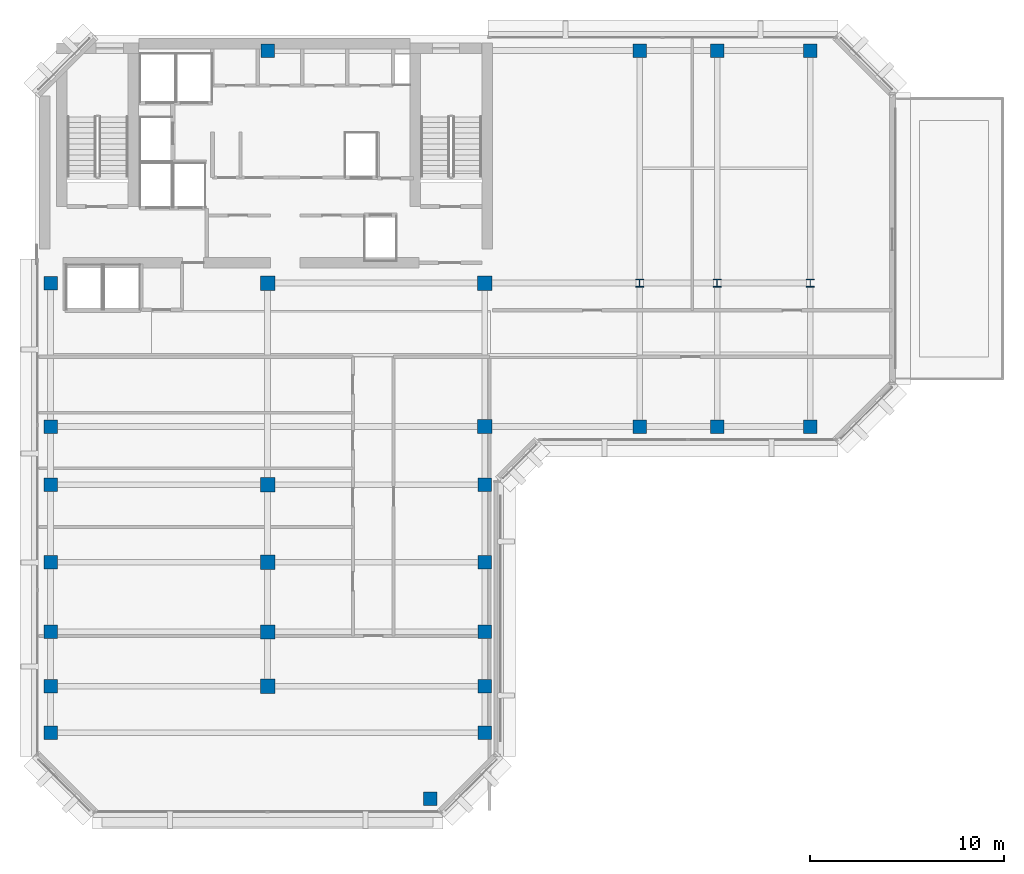
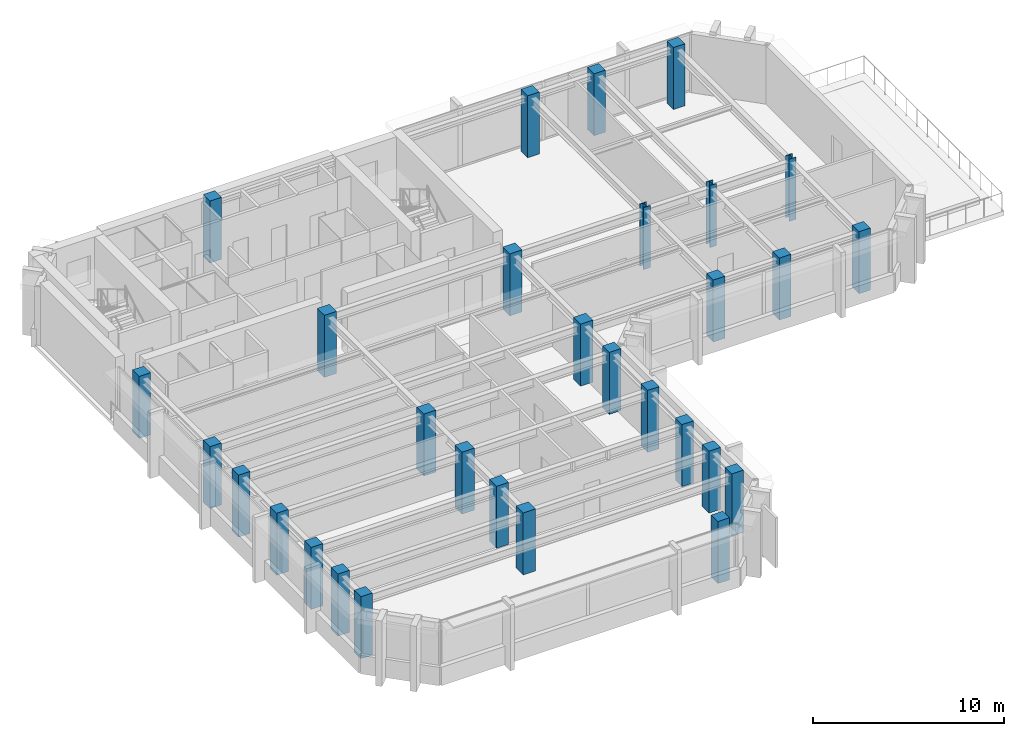
# One storey, part 1 of 11: 30 columns.
"""IFC4 building model written with IfcOpenShell, lengths in metres."""

from ifc_helpers import new_model, si_unit, direction, frame, origin, origin_2d, place, context, subcontext, project, spatial, rectangle, i_section, extrude, material, material_profile, profile_set, type_object, element, save


model = new_model("IFC4")

# Units and contexts
model_context = context("Model", 3, precision=1e-05, world=origin(), true_north=direction((0.0, 1.0)))
body_context = subcontext(model_context, "Body", "Model", "MODEL_VIEW")
ifc_project = project(units=[si_unit("LENGTHUNIT", "METRE"), si_unit("AREAUNIT", "SQUARE_METRE"), si_unit("VOLUMEUNIT", "CUBIC_METRE"), si_unit("PLANEANGLEUNIT", "RADIAN"), si_unit("MASSUNIT", "GRAM", prefix="KILO")], contexts=[model_context])

# Site, building, storey
site_placement = place(None, origin())
site = spatial("IfcSite", under=ifc_project, at=site_placement, CompositionType="ELEMENT")
building_placement = place(site_placement, origin())
building = spatial("IfcBuilding", under=site, at=building_placement, Name="Kefirva Bronze Tower", CompositionType="ELEMENT")
storey_placement = place(building_placement, frame((0.0, 0.0, 272.25)))
storey = spatial("IfcBuildingStorey", under=building, at=storey_placement, Name="L66", CompositionType="ELEMENT", Elevation=272.25)

# Columns
ifc_material_1 = material(Name="Concrete C50/60", Category="concrete")
ifc_material_profile_1 = material_profile(ifc_material_1, rectangle(XDim=0.699951171875, YDim=0.699951171875, at=origin_2d()), Name="RC 700x700")
ifc_profile_set_1 = profile_set([ifc_material_profile_1], Name="Concrete C50/60")
column_type_1 = type_object("IfcColumnType", Name="RC Column 700x700 Ext", PredefinedType="COLUMN", material=ifc_profile_set_1)
for number, where, z_axis, x_axis, name in (
    (1, (0.800048828125, 10.0, 0.0), (0.0, 0.0, 1.0), (1.0, 0.0, 0.0), "L66 Column C008_100"),
    (2, (0.800048828125, 12.39990234375, 0.0), (0.0, 0.0, 1.0), (1.0, 0.0, 0.0), "L66 Column C008_124"),
    (3, (0.800048828125, 15.199951171875, 0.0), (0.0, 0.0, 1.0), (1.0, 0.0, 0.0), "L66 Column C008_152"),
    (4, (0.800048828125, 18.800048828125, 0.0), (0.0, 0.0, 1.0), (1.0, 0.0, 0.0), "L66 Column C008_188"),
    (5, (0.800048828125, 22.800048828125, 0.0), (0.0, 0.0, 1.0), (1.0, 0.0, 0.0), "L66 Column C008_228"),
    (6, (0.800048828125, 25.800048828125, 0.0), (0.0, 0.0, 1.0), (1.0, 0.0, 0.0), "L66 Column C008_258"),
    (7, (0.800048828125, 33.199951171875, 0.0), (0.0, 0.0, 1.0), (1.0, 0.0, 0.0), "L66 Column C008_332"),
    (8, (12.0, 45.199951171875, 0.0), (0.0, 0.0, 1.0), (1.0, 0.0, 0.0), "L66 Column C120_452"),
    (9, (20.39990234375, 6.60009765625, 0.0), (0.0, 0.0, 1.0), (1.0, 0.0, 0.0), "L66 Column C204_066"),
    (10, (23.199951171875, 10.0, 0.0), (0.0, 0.0, 1.0), (1.0, 0.0, 0.0), "L66 Column C232_100"),
    (11, (23.199951171875, 12.39990234375, 0.0), (0.0, 0.0, 1.0), (1.0, 0.0, 0.0), "L66 Column C232_124"),
    (12, (23.199951171875, 15.199951171875, 0.0), (0.0, 0.0, 1.0), (1.0, 0.0, 0.0), "L66 Column C232_152"),
    (13, (23.199951171875, 18.800048828125, 0.0), (0.0, 0.0, 1.0), (1.0, 0.0, 0.0), "L66 Column C232_188"),
    (14, (23.199951171875, 22.800048828125, 0.0), (0.0, 0.0, 1.0), (1.0, 0.0, 0.0), "L66 Column C232_228"),
    (15, (31.199951171875, 25.800048828125, 0.0), (0.0, 0.0, 1.0), (1.0, 0.0, 0.0), "L66 Column C312_258"),
    (16, (31.199951171875, 45.199951171875, 0.0), (0.0, 0.0, 1.0), (1.0, 0.0, 0.0), "L66 Column C312_452"),
    (17, (35.199951171875, 25.800048828125, 0.0), (0.0, 0.0, 1.0), (1.0, 0.0, 0.0), "L66 Column C352_258"),
    (18, (35.199951171875, 45.199951171875, 0.0), (0.0, 0.0, 1.0), (1.0, 0.0, 0.0), "L66 Column C352_452"),
    (19, (40.0, 25.800048828125, 0.0), (0.0, 0.0, 1.0), (1.0, 0.0, 0.0), "L66 Column C400_258"),
    (20, (40.0, 45.199951171875, 0.0), (0.0, 0.0, 1.0), (1.0, 0.0, 0.0), "L66 Column C400_452"),
):
    element("IfcColumn", number, at=place(storey_placement, frame(where, z_axis=z_axis, x_axis=x_axis)), inside=storey, type_object=column_type_1, Name=name, PredefinedType="COLUMN", context=body_context, shape_type="SweptSolid", body=[
        extrude(rectangle(XDim=0.699951171875, YDim=0.699951171875, at=origin_2d()), origin(), (0.0, 0.0, 1.0), 3.9599609375),
    ])
ifc_material_profile_2 = material_profile(ifc_material_1, rectangle(XDim=0.739990234375, YDim=0.739990234375, at=origin_2d()), Name="RC 740x740")
ifc_profile_set_2 = profile_set([ifc_material_profile_2], Name="Concrete C50/60")
column_type_2 = type_object("IfcColumnType", Name="RC Column 740x740 Int", PredefinedType="COLUMN", material=ifc_profile_set_2)
for number, where, z_axis, x_axis, name in (
    (21, (12.0, 12.39990234375, 0.0), (0.0, 0.0, 1.0), (1.0, 0.0, 0.0), "L66 Column C120_124"),
    (22, (12.0, 15.199951171875, 0.0), (0.0, 0.0, 1.0), (1.0, 0.0, 0.0), "L66 Column C120_152"),
    (23, (12.0, 18.800048828125, 0.0), (0.0, 0.0, 1.0), (1.0, 0.0, 0.0), "L66 Column C120_188"),
    (24, (12.0, 22.800048828125, 0.0), (0.0, 0.0, 1.0), (1.0, 0.0, 0.0), "L66 Column C120_228"),
    (25, (12.0, 33.199951171875, 0.0), (0.0, 0.0, 1.0), (1.0, 0.0, 0.0), "L66 Column C120_332"),
    (26, (23.199951171875, 25.800048828125, 0.0), (0.0, 0.0, 1.0), (1.0, 0.0, 0.0), "L66 Column C232_258"),
    (27, (23.199951171875, 33.199951171875, 0.0), (0.0, 0.0, 1.0), (1.0, 0.0, 0.0), "L66 Column C232_332"),
):
    element("IfcColumn", number, at=place(storey_placement, frame(where, z_axis=z_axis, x_axis=x_axis)), inside=storey, type_object=column_type_2, Name=name, PredefinedType="COLUMN", context=body_context, shape_type="SweptSolid", body=[
        extrude(rectangle(XDim=0.739990234375, YDim=0.739990234375, at=origin_2d()), origin(), (0.0, 0.0, 1.0), 3.9599609375),
    ])
ifc_material_2 = material(Name="Steel S460", Category="steel")
ifc_material_profile_3 = material_profile(ifc_material_2, i_section(OverallWidth=0.406005859375, OverallDepth=0.416015625, WebThickness=0.02197265625, FlangeThickness=0.035888671875, at=origin_2d()), Name="HD 400x382")
ifc_profile_set_3 = profile_set([ifc_material_profile_3], Name="Steel S460")
column_type_3 = type_object("IfcColumnType", Name="Steel Column HD 400x382", PredefinedType="COLUMN", material=ifc_profile_set_3)
for number, where, z_axis, x_axis, name in (
    (28, (31.199951171875, 33.199951171875, 0.0), (0.0, 0.0, 1.0), (1.0, 0.0, 0.0), "L66 Column C312_332"),
    (29, (35.199951171875, 33.199951171875, 0.0), (0.0, 0.0, 1.0), (1.0, 0.0, 0.0), "L66 Column C352_332"),
    (30, (40.0, 33.199951171875, 0.0), (0.0, 0.0, 1.0), (1.0, 0.0, 0.0), "L66 Column C400_332"),
):
    element("IfcColumn", number, at=place(storey_placement, frame(where, z_axis=z_axis, x_axis=x_axis)), inside=storey, type_object=column_type_3, Name=name, PredefinedType="COLUMN", context=body_context, shape_type="SweptSolid", body=[
        extrude(i_section(OverallWidth=0.406005859375, OverallDepth=0.416015625, WebThickness=0.02197265625, FlangeThickness=0.035888671875, at=origin_2d()), origin(), (0.0, 0.0, 1.0), 3.9599609375),
    ])

save(model, "model.ifc")
